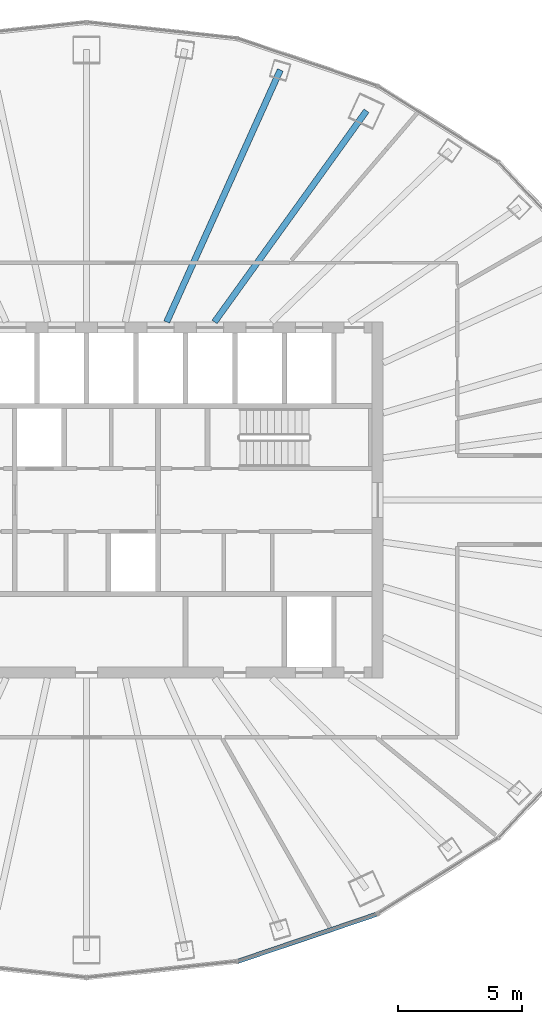
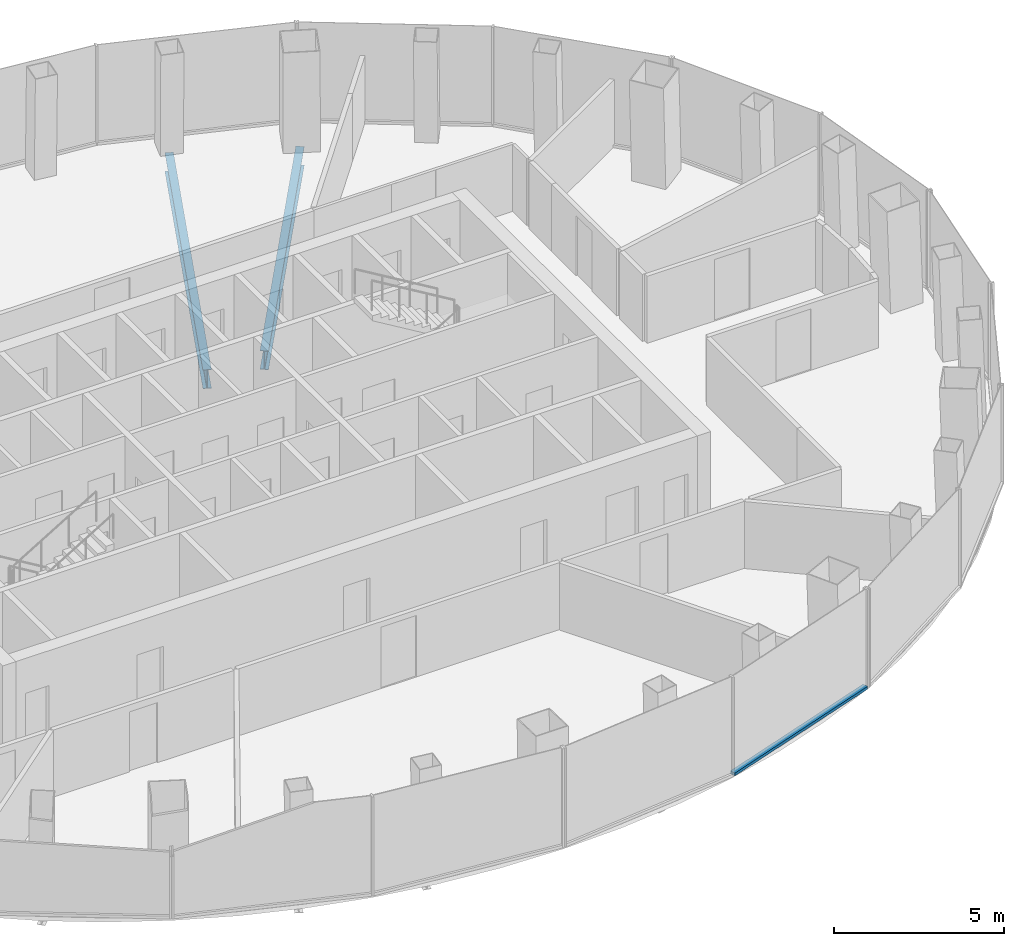
# One storey, part 5 of 13: 2 beams, 1 member, 1 element without a shape of its own.
"""IFC4 building model written with IfcOpenShell, lengths in metres."""

from ifc_helpers import new_model, si_unit, direction, frame, origin, origin_2d, place, context, subcontext, project, spatial, rectangle, i_section, extrude, material, layer, layer_set, material_profile, profile_set, type_object, element, aggregate, save


model = new_model("IFC4")

# Units and contexts
model_context = context("Model", 3, precision=1e-05, world=origin(), true_north=direction((0.0, 1.0)))
body_context = subcontext(model_context, "Body", "Model", "MODEL_VIEW")
ifc_project = project(units=[si_unit("LENGTHUNIT", "METRE"), si_unit("AREAUNIT", "SQUARE_METRE"), si_unit("VOLUMEUNIT", "CUBIC_METRE"), si_unit("PLANEANGLEUNIT", "RADIAN"), si_unit("MASSUNIT", "GRAM", prefix="KILO")], contexts=[model_context])

# Site, building, storey
site_placement = place(None, origin())
site = spatial("IfcSite", under=ifc_project, at=site_placement, CompositionType="ELEMENT")
building_placement = place(site_placement, origin())
building = spatial("IfcBuilding", under=site, at=building_placement, Name="Siaravel Broadcast Tower", CompositionType="ELEMENT")
storey_placement = place(building_placement, frame((0.0, 0.0, 171.89990234375)))
storey = spatial("IfcBuildingStorey", under=building, at=storey_placement, Name="L41", CompositionType="ELEMENT", Elevation=171.89990234375)

# Beams
ifc_material_1 = material(Name="Steel S355", Category="steel")
ifc_material_profile_1 = material_profile(ifc_material_1, i_section(OverallWidth=0.2529296875, OverallDepth=0.677978515625, WebThickness=0.01171875, FlangeThickness=0.01611328125, FilletRadius=0.01513671875, at=origin_2d()))
ifc_profile_set_1 = profile_set([ifc_material_profile_1], Name="Steel S355")
beam_type = type_object("IfcBeamType", Name="BM-UB 686x254x125", PredefinedType="BEAM", material=ifc_profile_set_1)
beam_1_placement = place(storey_placement, frame((11.326171875, 15.74169921875, -0.489013671875), z_axis=(-0.584035158, -0.811728362, 0.0), x_axis=(0.811728362, -0.584035158, 0.0)))
element("IfcBeam", 1, at=beam_1_placement, inside=storey, type_object=beam_type, Name="Radial beam RB07", PredefinedType="BEAM", context=body_context, shape_type="SweptSolid", body=[
    extrude(i_section(OverallWidth=0.2529296875, OverallDepth=0.677978515625, WebThickness=0.01171875, FlangeThickness=0.01611328125, FilletRadius=0.01513671875, at=origin_2d()), origin(), (0.0, 0.0, 1.0), 10.52294921875),
])
beam_2_placement = place(storey_placement, frame((7.840576171875, 17.39306640625, -0.489013671875), z_axis=(-0.410964722, -0.911651247, 0.0), x_axis=(0.911651247, -0.410964722, 0.0)))
element("IfcBeam", 2, at=beam_2_placement, inside=storey, type_object=beam_type, Name="Radial beam RB08", PredefinedType="BEAM", context=body_context, shape_type="SweptSolid", body=[
    extrude(i_section(OverallWidth=0.2529296875, OverallDepth=0.677978515625, WebThickness=0.01171875, FlangeThickness=0.01611328125, FilletRadius=0.01513671875, at=origin_2d()), origin(), (0.0, 0.0, 1.0), 11.180908203125),
])

# Curtain wall, member
ifc_material_2 = material(Name="Aluminium 6063-T6", Category="aluminium")
ifc_layer = layer(ifc_material_2, 0.179931640625)
ifc_layer_set = layer_set([ifc_layer], Name="Aluminium 6063-T6")
curtain_wall_type = type_object("IfcCurtainWallType", Name="Unitised curtain wall, zone 3", PredefinedType="NOTDEFINED", material=ifc_layer_set)
curtain_wall_placement = place(storey_placement, origin())
curtain_wall = element("IfcCurtainWall", 3, at=curtain_wall_placement, inside=storey, type_object=curtain_wall_type, Name="L41 Unitised curtain wall, zone 3 10", PredefinedType="NOTDEFINED")
ifc_material_profile_2 = material_profile(ifc_material_2, rectangle(XDim=0.179931640625, YDim=0.10009765625, at=origin_2d()))
ifc_profile_set_2 = profile_set([ifc_material_profile_2], Name="Aluminium 6063-T6")
member_type = type_object("IfcMemberType", Name="CW-Z3 transom", PredefinedType="USERDEFINED", material=ifc_profile_set_2)
member_placement = place(storey_placement, frame((6.12890625, -18.655029296875, 0.050048828125), z_axis=(0.946972868, 0.321313534, 0.0), x_axis=(-0.321313534, 0.946972868, 0.0)))
member = element("IfcMember", 4, at=member_placement, type_object=member_type, Name="CW-Z3 transom 2", ObjectType="TRANSOM", PredefinedType="USERDEFINED", context=body_context, shape_type="SweptSolid", body=[
    extrude(rectangle(XDim=0.179931640625, YDim=0.10009765625, at=origin_2d()), origin(), (0.0, 0.0, 1.0), 5.91357421875),
])
aggregate(curtain_wall, [member])

save(model, "model.ifc")
